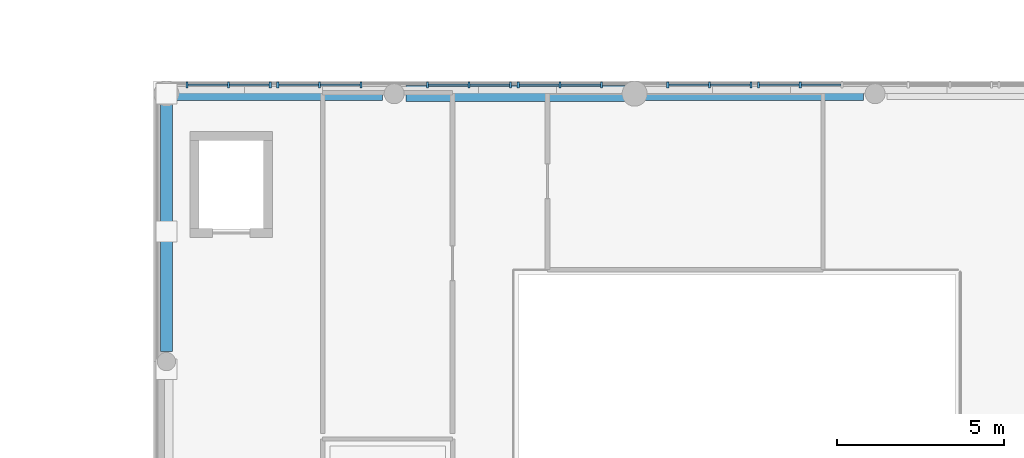
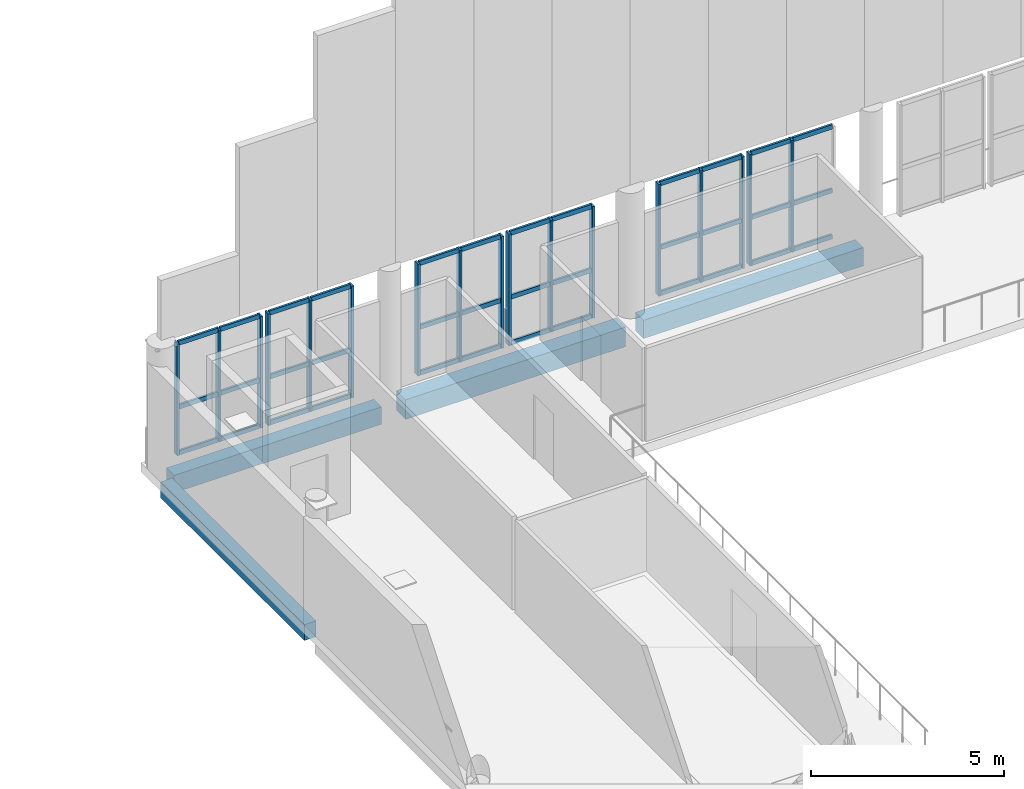
# One storey, part 24 of 76: 53 members, 4 beams, 6 elements without a shape of their own.
"""IFC4 building model written with IfcOpenShell, lengths in metres."""

from ifc_helpers import new_model, si_unit, direction, frame, origin, origin_2d, place, context, subcontext, project, spatial, rectangle, extrude, material, layer, layer_set, material_profile, profile_set, type_object, element, aggregate, save


model = new_model("IFC4")

# Units and contexts
model_context = context("Model", 3, precision=1e-05, world=origin(), true_north=direction((0.0, 1.0)))
body_context = subcontext(model_context, "Body", "Model", "MODEL_VIEW")
ifc_project = project(units=[si_unit("LENGTHUNIT", "METRE"), si_unit("AREAUNIT", "SQUARE_METRE"), si_unit("VOLUMEUNIT", "CUBIC_METRE"), si_unit("PLANEANGLEUNIT", "RADIAN"), si_unit("MASSUNIT", "GRAM", prefix="KILO")], contexts=[model_context])

# Site, building, storey
site_placement = place(None, origin())
site = spatial("IfcSite", under=ifc_project, at=site_placement, CompositionType="ELEMENT")
building_placement = place(site_placement, origin())
building = spatial("IfcBuilding", under=site, at=building_placement, Name="Vardoun Plaza Health Centre", CompositionType="ELEMENT")
storey_placement = place(building_placement, frame((0.0, 0.0, 4.5)))
storey = spatial("IfcBuildingStorey", under=building, at=storey_placement, Name="L01", CompositionType="ELEMENT", Elevation=4.5)

# Beams
ifc_material_1 = material(Name="Concrete C35/45", Category="concrete")
ifc_material_profile_1 = material_profile(ifc_material_1, rectangle(XDim=0.35009765625, YDim=0.5, at=origin_2d()), Name="RC-BM 350x500")
ifc_profile_set_1 = profile_set([ifc_material_profile_1], Name="Concrete C35/45")
beam_type_1 = type_object("IfcBeamType", Name="B-08", PredefinedType="SPANDREL", material=ifc_profile_set_1)
beam_1_placement = place(storey_placement, frame((48.260009765625, 70.199951171875, -0.530029296875), z_axis=(0.0, 1.0, 0.0), x_axis=(-1.0, 0.0, 0.0)))
element("IfcBeam", 1, at=beam_1_placement, inside=storey, type_object=beam_type_1, Name="V1 L01 Beam B-V1-L01-Y13", PredefinedType="SPANDREL", context=body_context, shape_type="SweptSolid", body=[
    extrude(rectangle(XDim=0.35009765625, YDim=0.5, at=origin_2d()), origin(), (0.0, 0.0, 1.0), 7.445068359375),
])
ifc_material_2 = material(Name="Concrete C35/45", Category="concrete")
ifc_material_profile_2 = material_profile(ifc_material_2, rectangle(XDim=0.39990234375, YDim=0.550048828125, at=origin_2d()), Name="RC-BM 400x550")
ifc_profile_set_2 = profile_set([ifc_material_profile_2], Name="Concrete C35/45")
beam_type_2 = type_object("IfcBeamType", Name="B-09", PredefinedType="SPANDREL", material=ifc_profile_set_2)
beam_2_placement = place(storey_placement, frame((48.534912109375, 77.919921875, -0.554931640625), z_axis=(1.0, 0.0, 0.0), x_axis=(0.0, 1.0, 0.0)))
element("IfcBeam", 2, at=beam_2_placement, inside=storey, type_object=beam_type_2, Name="V1 L01 Beam B-V1-L01-X02", PredefinedType="SPANDREL", context=body_context, shape_type="SweptSolid", body=[
    extrude(rectangle(XDim=0.39990234375, YDim=0.550048828125, at=origin_2d()), origin(), (0.0, 0.0, 1.0), 6.195068359375),
])
ifc_material_3 = material(Name="Concrete C35/45", Category="concrete")
ifc_material_profile_3 = material_profile(ifc_material_3, rectangle(XDim=0.419921875, YDim=0.580078125, at=origin_2d()), Name="RC-BM 420x580")
ifc_profile_set_3 = profile_set([ifc_material_profile_3], Name="Concrete C35/45")
beam_type_3 = type_object("IfcBeamType", Name="B-10", PredefinedType="SPANDREL", material=ifc_profile_set_3)
beam_3_placement = place(storey_placement, frame((62.554931640625, 77.919921875, -0.570068359375), z_axis=(1.0, 0.0, 0.0), x_axis=(0.0, 1.0, 0.0)))
element("IfcBeam", 3, at=beam_3_placement, inside=storey, type_object=beam_type_3, Name="V1 L01 Beam B-V1-L01-X06", PredefinedType="SPANDREL", context=body_context, shape_type="SweptSolid", body=[
    extrude(rectangle(XDim=0.419921875, YDim=0.580078125, at=origin_2d()), origin(), (0.0, 0.0, 1.0), 6.574951171875),
])
ifc_material_4 = material(Name="Concrete C35/45", Category="concrete")
ifc_material_profile_4 = material_profile(ifc_material_4, rectangle(XDim=0.47998046875, YDim=0.6201171875, at=origin_2d()), Name="RC-BM 480x620")
ifc_profile_set_4 = profile_set([ifc_material_profile_4], Name="Concrete C35/45")
beam_type_4 = type_object("IfcBeamType", Name="B-12", PredefinedType="SPANDREL", material=ifc_profile_set_4)
beam_4_placement = place(storey_placement, frame((55.429931640625, 77.919921875, -0.590087890625), z_axis=(1.0, 0.0, 0.0), x_axis=(0.0, 1.0, 0.0)))
element("IfcBeam", 4, at=beam_4_placement, inside=storey, type_object=beam_type_4, Name="V1 L01 Beam B-V1-L01-X04", PredefinedType="SPANDREL", context=body_context, shape_type="SweptSolid", body=[
    extrude(rectangle(XDim=0.47998046875, YDim=0.6201171875, at=origin_2d()), origin(), (0.0, 0.0, 1.0), 6.574951171875),
])

# Curtain wall, members
ifc_material_5 = material(Name="Aluminium Alloy EN AW-6063-T6 and Low-E Glass", Category="aluminium")
ifc_layer = layer(ifc_material_5, 0.179931640625)
ifc_layer_set = layer_set([ifc_layer], Name="Aluminium Alloy EN AW-6063-T6 and Low-E Glass")
curtain_wall_type = type_object("IfcCurtainWallType", Name="CW-01", PredefinedType="USERDEFINED", material=ifc_layer_set)
curtain_wall_1_placement = place(storey_placement, origin())
curtain_wall_1 = element("IfcCurtainWall", 5, at=curtain_wall_1_placement, inside=storey, type_object=curtain_wall_type, Name="Curtain Wall CW-V1-015", ObjectType="CONCOURSE_CURTAIN_WALL", PredefinedType="USERDEFINED")
ifc_material_6 = material(Name="Aluminium Alloy EN AW-6063-T6", Category="aluminium")
ifc_material_profile_5 = material_profile(ifc_material_6, rectangle(XDim=0.179931640625, YDim=0.06494140625, at=origin_2d()), Name="CWM 65x180")
ifc_profile_set_5 = profile_set([ifc_material_profile_5], Name="Aluminium Alloy EN AW-6063-T6")
member_type_1 = type_object("IfcMemberType", Name="CW-M2", PredefinedType="MULLION", material=ifc_profile_set_5)
member_1_placement = place(storey_placement, frame((48.87255859375, 78.179931640625, 0.0), z_axis=(0.0, 0.0, 1.0), x_axis=(0.0, 1.0, 0.0)))
member_1 = element("IfcMember", 6, at=member_1_placement, type_object=member_type_1, Name="CW-V1-015 mullion 1", PredefinedType="MULLION", context=body_context, shape_type="SweptSolid", body=[
    extrude(rectangle(XDim=0.179931640625, YDim=0.06494140625, at=origin_2d()), origin(), (0.0, 0.0, 1.0), 3.534912109375),
])
member_2_placement = place(storey_placement, frame((50.1201171875, 78.179931640625, 0.0), z_axis=(0.0, 0.0, 1.0), x_axis=(0.0, 1.0, 0.0)))
member_2 = element("IfcMember", 7, at=member_2_placement, type_object=member_type_1, Name="CW-V1-015 mullion 2", PredefinedType="MULLION", context=body_context, shape_type="SweptSolid", body=[
    extrude(rectangle(XDim=0.179931640625, YDim=0.06494140625, at=origin_2d()), origin(), (0.0, 0.0, 1.0), 3.534912109375),
])
member_3_placement = place(storey_placement, frame((51.367431640625, 78.179931640625, 0.0), z_axis=(0.0, 0.0, 1.0), x_axis=(0.0, 1.0, 0.0)))
member_3 = element("IfcMember", 8, at=member_3_placement, type_object=member_type_1, Name="CW-V1-015 mullion 3", PredefinedType="MULLION", context=body_context, shape_type="SweptSolid", body=[
    extrude(rectangle(XDim=0.179931640625, YDim=0.06494140625, at=origin_2d()), origin(), (0.0, 0.0, 1.0), 3.534912109375),
])

curtain_wall_2_placement = place(storey_placement, origin())
curtain_wall_2 = element("IfcCurtainWall", 9, at=curtain_wall_2_placement, inside=storey, type_object=curtain_wall_type, Name="Curtain Wall CW-V1-016", ObjectType="CONCOURSE_CURTAIN_WALL", PredefinedType="USERDEFINED")
member_4_placement = place(storey_placement, frame((51.592529296875, 78.179931640625, 0.0), z_axis=(0.0, 0.0, 1.0), x_axis=(0.0, 1.0, 0.0)))
member_4 = element("IfcMember", 10, at=member_4_placement, type_object=member_type_1, Name="CW-V1-016 mullion 1", PredefinedType="MULLION", context=body_context, shape_type="SweptSolid", body=[
    extrude(rectangle(XDim=0.179931640625, YDim=0.06494140625, at=origin_2d()), origin(), (0.0, 0.0, 1.0), 3.534912109375),
])
member_5_placement = place(storey_placement, frame((52.840087890625, 78.179931640625, 0.0), z_axis=(0.0, 0.0, 1.0), x_axis=(0.0, 1.0, 0.0)))
member_5 = element("IfcMember", 11, at=member_5_placement, type_object=member_type_1, Name="CW-V1-016 mullion 2", PredefinedType="MULLION", context=body_context, shape_type="SweptSolid", body=[
    extrude(rectangle(XDim=0.179931640625, YDim=0.06494140625, at=origin_2d()), origin(), (0.0, 0.0, 1.0), 3.534912109375),
])
member_6_placement = place(storey_placement, frame((54.087646484375, 78.179931640625, 0.0), z_axis=(0.0, 0.0, 1.0), x_axis=(0.0, 1.0, 0.0)))
member_6 = element("IfcMember", 12, at=member_6_placement, type_object=member_type_1, Name="CW-V1-016 mullion 3", PredefinedType="MULLION", context=body_context, shape_type="SweptSolid", body=[
    extrude(rectangle(XDim=0.179931640625, YDim=0.06494140625, at=origin_2d()), origin(), (0.0, 0.0, 1.0), 3.534912109375),
])

curtain_wall_3_placement = place(storey_placement, origin())
curtain_wall_3 = element("IfcCurtainWall", 13, at=curtain_wall_3_placement, inside=storey, type_object=curtain_wall_type, Name="Curtain Wall CW-V1-017", ObjectType="CONCOURSE_CURTAIN_WALL", PredefinedType="USERDEFINED")
member_7_placement = place(storey_placement, frame((56.072509765625, 78.179931640625, 0.0), z_axis=(0.0, 0.0, 1.0), x_axis=(0.0, 1.0, 0.0)))
member_7 = element("IfcMember", 14, at=member_7_placement, type_object=member_type_1, Name="CW-V1-017 mullion 1", PredefinedType="MULLION", context=body_context, shape_type="SweptSolid", body=[
    extrude(rectangle(XDim=0.179931640625, YDim=0.06494140625, at=origin_2d()), origin(), (0.0, 0.0, 1.0), 3.534912109375),
])
member_8_placement = place(storey_placement, frame((57.320068359375, 78.179931640625, 0.0), z_axis=(0.0, 0.0, 1.0), x_axis=(0.0, 1.0, 0.0)))
member_8 = element("IfcMember", 15, at=member_8_placement, type_object=member_type_1, Name="CW-V1-017 mullion 2", PredefinedType="MULLION", context=body_context, shape_type="SweptSolid", body=[
    extrude(rectangle(XDim=0.179931640625, YDim=0.06494140625, at=origin_2d()), origin(), (0.0, 0.0, 1.0), 3.534912109375),
])
member_9_placement = place(storey_placement, frame((58.5673828125, 78.179931640625, 0.0), z_axis=(0.0, 0.0, 1.0), x_axis=(0.0, 1.0, 0.0)))
member_9 = element("IfcMember", 16, at=member_9_placement, type_object=member_type_1, Name="CW-V1-017 mullion 3", PredefinedType="MULLION", context=body_context, shape_type="SweptSolid", body=[
    extrude(rectangle(XDim=0.179931640625, YDim=0.06494140625, at=origin_2d()), origin(), (0.0, 0.0, 1.0), 3.534912109375),
])

curtain_wall_4_placement = place(storey_placement, origin())
curtain_wall_4 = element("IfcCurtainWall", 17, at=curtain_wall_4_placement, inside=storey, type_object=curtain_wall_type, Name="Curtain Wall CW-V1-018", ObjectType="CONCOURSE_CURTAIN_WALL", PredefinedType="USERDEFINED")
member_10_placement = place(storey_placement, frame((58.79248046875, 78.179931640625, 0.0), z_axis=(0.0, 0.0, 1.0), x_axis=(0.0, 1.0, 0.0)))
member_10 = element("IfcMember", 18, at=member_10_placement, type_object=member_type_1, Name="CW-V1-018 mullion 1", PredefinedType="MULLION", context=body_context, shape_type="SweptSolid", body=[
    extrude(rectangle(XDim=0.179931640625, YDim=0.06494140625, at=origin_2d()), origin(), (0.0, 0.0, 1.0), 3.534912109375),
])
member_11_placement = place(storey_placement, frame((60.0400390625, 78.179931640625, 0.0), z_axis=(0.0, 0.0, 1.0), x_axis=(0.0, 1.0, 0.0)))
member_11 = element("IfcMember", 19, at=member_11_placement, type_object=member_type_1, Name="CW-V1-018 mullion 2", PredefinedType="MULLION", context=body_context, shape_type="SweptSolid", body=[
    extrude(rectangle(XDim=0.179931640625, YDim=0.06494140625, at=origin_2d()), origin(), (0.0, 0.0, 1.0), 3.534912109375),
])
member_12_placement = place(storey_placement, frame((61.28759765625, 78.179931640625, 0.0), z_axis=(0.0, 0.0, 1.0), x_axis=(0.0, 1.0, 0.0)))
member_12 = element("IfcMember", 20, at=member_12_placement, type_object=member_type_1, Name="CW-V1-018 mullion 3", PredefinedType="MULLION", context=body_context, shape_type="SweptSolid", body=[
    extrude(rectangle(XDim=0.179931640625, YDim=0.06494140625, at=origin_2d()), origin(), (0.0, 0.0, 1.0), 3.534912109375),
])

curtain_wall_5_placement = place(storey_placement, origin())
curtain_wall_5 = element("IfcCurtainWall", 21, at=curtain_wall_5_placement, inside=storey, type_object=curtain_wall_type, Name="Curtain Wall CW-V1-019", ObjectType="CONCOURSE_CURTAIN_WALL", PredefinedType="USERDEFINED")
member_13_placement = place(storey_placement, frame((63.2724609375, 78.179931640625, 0.0), z_axis=(0.0, 0.0, 1.0), x_axis=(0.0, 1.0, 0.0)))
member_13 = element("IfcMember", 22, at=member_13_placement, type_object=member_type_1, Name="CW-V1-019 mullion 1", PredefinedType="MULLION", context=body_context, shape_type="SweptSolid", body=[
    extrude(rectangle(XDim=0.179931640625, YDim=0.06494140625, at=origin_2d()), origin(), (0.0, 0.0, 1.0), 3.534912109375),
])
member_14_placement = place(storey_placement, frame((64.52001953125, 78.179931640625, 0.0), z_axis=(0.0, 0.0, 1.0), x_axis=(0.0, 1.0, 0.0)))
member_14 = element("IfcMember", 23, at=member_14_placement, type_object=member_type_1, Name="CW-V1-019 mullion 2", PredefinedType="MULLION", context=body_context, shape_type="SweptSolid", body=[
    extrude(rectangle(XDim=0.179931640625, YDim=0.06494140625, at=origin_2d()), origin(), (0.0, 0.0, 1.0), 3.534912109375),
])
member_15_placement = place(storey_placement, frame((65.767578125, 78.179931640625, 0.0), z_axis=(0.0, 0.0, 1.0), x_axis=(0.0, 1.0, 0.0)))
member_15 = element("IfcMember", 24, at=member_15_placement, type_object=member_type_1, Name="CW-V1-019 mullion 3", PredefinedType="MULLION", context=body_context, shape_type="SweptSolid", body=[
    extrude(rectangle(XDim=0.179931640625, YDim=0.06494140625, at=origin_2d()), origin(), (0.0, 0.0, 1.0), 3.534912109375),
])

curtain_wall_6_placement = place(storey_placement, origin())
curtain_wall_6 = element("IfcCurtainWall", 25, at=curtain_wall_6_placement, inside=storey, type_object=curtain_wall_type, Name="Curtain Wall CW-V1-020", ObjectType="CONCOURSE_CURTAIN_WALL", PredefinedType="USERDEFINED")
member_16_placement = place(storey_placement, frame((65.992431640625, 78.179931640625, 0.0), z_axis=(0.0, 0.0, 1.0), x_axis=(0.0, 1.0, 0.0)))
member_16 = element("IfcMember", 26, at=member_16_placement, type_object=member_type_1, Name="CW-V1-020 mullion 1", PredefinedType="MULLION", context=body_context, shape_type="SweptSolid", body=[
    extrude(rectangle(XDim=0.179931640625, YDim=0.06494140625, at=origin_2d()), origin(), (0.0, 0.0, 1.0), 3.534912109375),
])
member_17_placement = place(storey_placement, frame((67.239990234375, 78.179931640625, 0.0), z_axis=(0.0, 0.0, 1.0), x_axis=(0.0, 1.0, 0.0)))
member_17 = element("IfcMember", 27, at=member_17_placement, type_object=member_type_1, Name="CW-V1-020 mullion 2", PredefinedType="MULLION", context=body_context, shape_type="SweptSolid", body=[
    extrude(rectangle(XDim=0.179931640625, YDim=0.06494140625, at=origin_2d()), origin(), (0.0, 0.0, 1.0), 3.534912109375),
])

# Member
ifc_material_7 = material(Name="Aluminium Alloy EN AW-6063-T6", Category="aluminium")
ifc_material_profile_6 = material_profile(ifc_material_7, rectangle(XDim=0.06494140625, YDim=0.139892578125, at=origin_2d()), Name="CWT 65x140")
ifc_profile_set_6 = profile_set([ifc_material_profile_6], Name="Aluminium Alloy EN AW-6063-T6")
member_type_2 = type_object("IfcMemberType", Name="CW-T2", PredefinedType="USERDEFINED", material=ifc_profile_set_6)
member_18_placement = place(storey_placement, frame((48.905029296875, 78.179931640625, 0.032470703125), z_axis=(1.0, 0.0, 0.0), x_axis=(0.0, 1.0, 0.0)))
member_18 = element("IfcMember", 28, at=member_18_placement, type_object=member_type_2, Name="CW-V1-015 transom 1.1", ObjectType="TRANSOM", PredefinedType="USERDEFINED", context=body_context, shape_type="SweptSolid", body=[
    extrude(rectangle(XDim=0.06494140625, YDim=0.139892578125, at=origin_2d()), origin(), (0.0, 0.0, 1.0), 1.1826171875),
])

member_19_placement = place(storey_placement, frame((48.905029296875, 78.179931640625, 1.484619140625), z_axis=(1.0, 0.0, 0.0), x_axis=(0.0, 1.0, 0.0)))
member_19 = element("IfcMember", 29, at=member_19_placement, type_object=member_type_2, Name="CW-V1-015 transom 1.2", ObjectType="TRANSOM", PredefinedType="USERDEFINED", context=body_context, shape_type="SweptSolid", body=[
    extrude(rectangle(XDim=0.06494140625, YDim=0.139892578125, at=origin_2d()), origin(), (0.0, 0.0, 1.0), 1.1826171875),
])

member_20_placement = place(storey_placement, frame((48.905029296875, 78.179931640625, 3.50244140625), z_axis=(1.0, 0.0, 0.0), x_axis=(0.0, 1.0, 0.0)))
member_20 = element("IfcMember", 30, at=member_20_placement, type_object=member_type_2, Name="CW-V1-015 transom 1.3", ObjectType="TRANSOM", PredefinedType="USERDEFINED", context=body_context, shape_type="SweptSolid", body=[
    extrude(rectangle(XDim=0.06494140625, YDim=0.139892578125, at=origin_2d()), origin(), (0.0, 0.0, 1.0), 1.1826171875),
])

member_21_placement = place(storey_placement, frame((50.152587890625, 78.179931640625, 0.032470703125), z_axis=(1.0, 0.0, 0.0), x_axis=(0.0, 1.0, 0.0)))
member_21 = element("IfcMember", 31, at=member_21_placement, type_object=member_type_2, Name="CW-V1-015 transom 2.1", ObjectType="TRANSOM", PredefinedType="USERDEFINED", context=body_context, shape_type="SweptSolid", body=[
    extrude(rectangle(XDim=0.06494140625, YDim=0.139892578125, at=origin_2d()), origin(), (0.0, 0.0, 1.0), 1.182373046875),
])

member_22_placement = place(storey_placement, frame((50.152587890625, 78.179931640625, 1.484619140625), z_axis=(1.0, 0.0, 0.0), x_axis=(0.0, 1.0, 0.0)))
member_22 = element("IfcMember", 32, at=member_22_placement, type_object=member_type_2, Name="CW-V1-015 transom 2.2", ObjectType="TRANSOM", PredefinedType="USERDEFINED", context=body_context, shape_type="SweptSolid", body=[
    extrude(rectangle(XDim=0.06494140625, YDim=0.139892578125, at=origin_2d()), origin(), (0.0, 0.0, 1.0), 1.182373046875),
])

member_23_placement = place(storey_placement, frame((50.152587890625, 78.179931640625, 3.50244140625), z_axis=(1.0, 0.0, 0.0), x_axis=(0.0, 1.0, 0.0)))
member_23 = element("IfcMember", 33, at=member_23_placement, type_object=member_type_2, Name="CW-V1-015 transom 2.3", ObjectType="TRANSOM", PredefinedType="USERDEFINED", context=body_context, shape_type="SweptSolid", body=[
    extrude(rectangle(XDim=0.06494140625, YDim=0.139892578125, at=origin_2d()), origin(), (0.0, 0.0, 1.0), 1.182373046875),
])

aggregate(curtain_wall_1, [member_1, member_2, member_3, member_18, member_19, member_20, member_21, member_22, member_23])

member_24_placement = place(storey_placement, frame((51.625, 78.179931640625, 0.032470703125), z_axis=(1.0, 0.0, 0.0), x_axis=(0.0, 1.0, 0.0)))
member_24 = element("IfcMember", 34, at=member_24_placement, type_object=member_type_2, Name="CW-V1-016 transom 1.1", ObjectType="TRANSOM", PredefinedType="USERDEFINED", context=body_context, shape_type="SweptSolid", body=[
    extrude(rectangle(XDim=0.06494140625, YDim=0.139892578125, at=origin_2d()), origin(), (0.0, 0.0, 1.0), 1.1826171875),
])

member_25_placement = place(storey_placement, frame((51.625, 78.179931640625, 1.484619140625), z_axis=(1.0, 0.0, 0.0), x_axis=(0.0, 1.0, 0.0)))
member_25 = element("IfcMember", 35, at=member_25_placement, type_object=member_type_2, Name="CW-V1-016 transom 1.2", ObjectType="TRANSOM", PredefinedType="USERDEFINED", context=body_context, shape_type="SweptSolid", body=[
    extrude(rectangle(XDim=0.06494140625, YDim=0.139892578125, at=origin_2d()), origin(), (0.0, 0.0, 1.0), 1.1826171875),
])

member_26_placement = place(storey_placement, frame((51.625, 78.179931640625, 3.50244140625), z_axis=(1.0, 0.0, 0.0), x_axis=(0.0, 1.0, 0.0)))
member_26 = element("IfcMember", 36, at=member_26_placement, type_object=member_type_2, Name="CW-V1-016 transom 1.3", ObjectType="TRANSOM", PredefinedType="USERDEFINED", context=body_context, shape_type="SweptSolid", body=[
    extrude(rectangle(XDim=0.06494140625, YDim=0.139892578125, at=origin_2d()), origin(), (0.0, 0.0, 1.0), 1.1826171875),
])

member_27_placement = place(storey_placement, frame((52.87255859375, 78.179931640625, 0.032470703125), z_axis=(1.0, 0.0, 0.0), x_axis=(0.0, 1.0, 0.0)))
member_27 = element("IfcMember", 37, at=member_27_placement, type_object=member_type_2, Name="CW-V1-016 transom 2.1", ObjectType="TRANSOM", PredefinedType="USERDEFINED", context=body_context, shape_type="SweptSolid", body=[
    extrude(rectangle(XDim=0.06494140625, YDim=0.139892578125, at=origin_2d()), origin(), (0.0, 0.0, 1.0), 1.182373046875),
])

member_28_placement = place(storey_placement, frame((52.87255859375, 78.179931640625, 1.484619140625), z_axis=(1.0, 0.0, 0.0), x_axis=(0.0, 1.0, 0.0)))
member_28 = element("IfcMember", 38, at=member_28_placement, type_object=member_type_2, Name="CW-V1-016 transom 2.2", ObjectType="TRANSOM", PredefinedType="USERDEFINED", context=body_context, shape_type="SweptSolid", body=[
    extrude(rectangle(XDim=0.06494140625, YDim=0.139892578125, at=origin_2d()), origin(), (0.0, 0.0, 1.0), 1.182373046875),
])

member_29_placement = place(storey_placement, frame((52.87255859375, 78.179931640625, 3.50244140625), z_axis=(1.0, 0.0, 0.0), x_axis=(0.0, 1.0, 0.0)))
member_29 = element("IfcMember", 39, at=member_29_placement, type_object=member_type_2, Name="CW-V1-016 transom 2.3", ObjectType="TRANSOM", PredefinedType="USERDEFINED", context=body_context, shape_type="SweptSolid", body=[
    extrude(rectangle(XDim=0.06494140625, YDim=0.139892578125, at=origin_2d()), origin(), (0.0, 0.0, 1.0), 1.182373046875),
])

aggregate(curtain_wall_2, [member_4, member_5, member_6, member_24, member_25, member_26, member_27, member_28, member_29])

member_30_placement = place(storey_placement, frame((56.10498046875, 78.179931640625, 0.032470703125), z_axis=(1.0, 0.0, 0.0), x_axis=(0.0, 1.0, 0.0)))
member_30 = element("IfcMember", 40, at=member_30_placement, type_object=member_type_2, Name="CW-V1-017 transom 1.1", ObjectType="TRANSOM", PredefinedType="USERDEFINED", context=body_context, shape_type="SweptSolid", body=[
    extrude(rectangle(XDim=0.06494140625, YDim=0.139892578125, at=origin_2d()), origin(), (0.0, 0.0, 1.0), 1.1826171875),
])

member_31_placement = place(storey_placement, frame((56.10498046875, 78.179931640625, 1.484619140625), z_axis=(1.0, 0.0, 0.0), x_axis=(0.0, 1.0, 0.0)))
member_31 = element("IfcMember", 41, at=member_31_placement, type_object=member_type_2, Name="CW-V1-017 transom 1.2", ObjectType="TRANSOM", PredefinedType="USERDEFINED", context=body_context, shape_type="SweptSolid", body=[
    extrude(rectangle(XDim=0.06494140625, YDim=0.139892578125, at=origin_2d()), origin(), (0.0, 0.0, 1.0), 1.1826171875),
])

member_32_placement = place(storey_placement, frame((56.10498046875, 78.179931640625, 3.50244140625), z_axis=(1.0, 0.0, 0.0), x_axis=(0.0, 1.0, 0.0)))
member_32 = element("IfcMember", 42, at=member_32_placement, type_object=member_type_2, Name="CW-V1-017 transom 1.3", ObjectType="TRANSOM", PredefinedType="USERDEFINED", context=body_context, shape_type="SweptSolid", body=[
    extrude(rectangle(XDim=0.06494140625, YDim=0.139892578125, at=origin_2d()), origin(), (0.0, 0.0, 1.0), 1.1826171875),
])

member_33_placement = place(storey_placement, frame((57.3525390625, 78.179931640625, 0.032470703125), z_axis=(1.0, 0.0, 0.0), x_axis=(0.0, 1.0, 0.0)))
member_33 = element("IfcMember", 43, at=member_33_placement, type_object=member_type_2, Name="CW-V1-017 transom 2.1", ObjectType="TRANSOM", PredefinedType="USERDEFINED", context=body_context, shape_type="SweptSolid", body=[
    extrude(rectangle(XDim=0.06494140625, YDim=0.139892578125, at=origin_2d()), origin(), (0.0, 0.0, 1.0), 1.182373046875),
])

member_34_placement = place(storey_placement, frame((57.3525390625, 78.179931640625, 1.484619140625), z_axis=(1.0, 0.0, 0.0), x_axis=(0.0, 1.0, 0.0)))
member_34 = element("IfcMember", 44, at=member_34_placement, type_object=member_type_2, Name="CW-V1-017 transom 2.2", ObjectType="TRANSOM", PredefinedType="USERDEFINED", context=body_context, shape_type="SweptSolid", body=[
    extrude(rectangle(XDim=0.06494140625, YDim=0.139892578125, at=origin_2d()), origin(), (0.0, 0.0, 1.0), 1.182373046875),
])

member_35_placement = place(storey_placement, frame((57.3525390625, 78.179931640625, 3.50244140625), z_axis=(1.0, 0.0, 0.0), x_axis=(0.0, 1.0, 0.0)))
member_35 = element("IfcMember", 45, at=member_35_placement, type_object=member_type_2, Name="CW-V1-017 transom 2.3", ObjectType="TRANSOM", PredefinedType="USERDEFINED", context=body_context, shape_type="SweptSolid", body=[
    extrude(rectangle(XDim=0.06494140625, YDim=0.139892578125, at=origin_2d()), origin(), (0.0, 0.0, 1.0), 1.182373046875),
])

aggregate(curtain_wall_3, [member_7, member_8, member_9, member_30, member_31, member_32, member_33, member_34, member_35])

member_36_placement = place(storey_placement, frame((58.824951171875, 78.179931640625, 0.032470703125), z_axis=(1.0, 0.0, 0.0), x_axis=(0.0, 1.0, 0.0)))
member_36 = element("IfcMember", 46, at=member_36_placement, type_object=member_type_2, Name="CW-V1-018 transom 1.1", ObjectType="TRANSOM", PredefinedType="USERDEFINED", context=body_context, shape_type="SweptSolid", body=[
    extrude(rectangle(XDim=0.06494140625, YDim=0.139892578125, at=origin_2d()), origin(), (0.0, 0.0, 1.0), 1.1826171875),
])

member_37_placement = place(storey_placement, frame((58.824951171875, 78.179931640625, 1.484619140625), z_axis=(1.0, 0.0, 0.0), x_axis=(0.0, 1.0, 0.0)))
member_37 = element("IfcMember", 47, at=member_37_placement, type_object=member_type_2, Name="CW-V1-018 transom 1.2", ObjectType="TRANSOM", PredefinedType="USERDEFINED", context=body_context, shape_type="SweptSolid", body=[
    extrude(rectangle(XDim=0.06494140625, YDim=0.139892578125, at=origin_2d()), origin(), (0.0, 0.0, 1.0), 1.1826171875),
])

member_38_placement = place(storey_placement, frame((58.824951171875, 78.179931640625, 3.50244140625), z_axis=(1.0, 0.0, 0.0), x_axis=(0.0, 1.0, 0.0)))
member_38 = element("IfcMember", 48, at=member_38_placement, type_object=member_type_2, Name="CW-V1-018 transom 1.3", ObjectType="TRANSOM", PredefinedType="USERDEFINED", context=body_context, shape_type="SweptSolid", body=[
    extrude(rectangle(XDim=0.06494140625, YDim=0.139892578125, at=origin_2d()), origin(), (0.0, 0.0, 1.0), 1.1826171875),
])

member_39_placement = place(storey_placement, frame((60.072509765625, 78.179931640625, 0.032470703125), z_axis=(1.0, 0.0, 0.0), x_axis=(0.0, 1.0, 0.0)))
member_39 = element("IfcMember", 49, at=member_39_placement, type_object=member_type_2, Name="CW-V1-018 transom 2.1", ObjectType="TRANSOM", PredefinedType="USERDEFINED", context=body_context, shape_type="SweptSolid", body=[
    extrude(rectangle(XDim=0.06494140625, YDim=0.139892578125, at=origin_2d()), origin(), (0.0, 0.0, 1.0), 1.182373046875),
])

member_40_placement = place(storey_placement, frame((60.072509765625, 78.179931640625, 1.484619140625), z_axis=(1.0, 0.0, 0.0), x_axis=(0.0, 1.0, 0.0)))
member_40 = element("IfcMember", 50, at=member_40_placement, type_object=member_type_2, Name="CW-V1-018 transom 2.2", ObjectType="TRANSOM", PredefinedType="USERDEFINED", context=body_context, shape_type="SweptSolid", body=[
    extrude(rectangle(XDim=0.06494140625, YDim=0.139892578125, at=origin_2d()), origin(), (0.0, 0.0, 1.0), 1.182373046875),
])

member_41_placement = place(storey_placement, frame((60.072509765625, 78.179931640625, 3.50244140625), z_axis=(1.0, 0.0, 0.0), x_axis=(0.0, 1.0, 0.0)))
member_41 = element("IfcMember", 51, at=member_41_placement, type_object=member_type_2, Name="CW-V1-018 transom 2.3", ObjectType="TRANSOM", PredefinedType="USERDEFINED", context=body_context, shape_type="SweptSolid", body=[
    extrude(rectangle(XDim=0.06494140625, YDim=0.139892578125, at=origin_2d()), origin(), (0.0, 0.0, 1.0), 1.182373046875),
])

aggregate(curtain_wall_4, [member_10, member_11, member_12, member_36, member_37, member_38, member_39, member_40, member_41])

member_42_placement = place(storey_placement, frame((63.304931640625, 78.179931640625, 0.032470703125), z_axis=(1.0, 0.0, 0.0), x_axis=(0.0, 1.0, 0.0)))
member_42 = element("IfcMember", 52, at=member_42_placement, type_object=member_type_2, Name="CW-V1-019 transom 1.1", ObjectType="TRANSOM", PredefinedType="USERDEFINED", context=body_context, shape_type="SweptSolid", body=[
    extrude(rectangle(XDim=0.06494140625, YDim=0.139892578125, at=origin_2d()), origin(), (0.0, 0.0, 1.0), 1.1826171875),
])

member_43_placement = place(storey_placement, frame((63.304931640625, 78.179931640625, 1.484619140625), z_axis=(1.0, 0.0, 0.0), x_axis=(0.0, 1.0, 0.0)))
member_43 = element("IfcMember", 53, at=member_43_placement, type_object=member_type_2, Name="CW-V1-019 transom 1.2", ObjectType="TRANSOM", PredefinedType="USERDEFINED", context=body_context, shape_type="SweptSolid", body=[
    extrude(rectangle(XDim=0.06494140625, YDim=0.139892578125, at=origin_2d()), origin(), (0.0, 0.0, 1.0), 1.1826171875),
])

member_44_placement = place(storey_placement, frame((63.304931640625, 78.179931640625, 3.50244140625), z_axis=(1.0, 0.0, 0.0), x_axis=(0.0, 1.0, 0.0)))
member_44 = element("IfcMember", 54, at=member_44_placement, type_object=member_type_2, Name="CW-V1-019 transom 1.3", ObjectType="TRANSOM", PredefinedType="USERDEFINED", context=body_context, shape_type="SweptSolid", body=[
    extrude(rectangle(XDim=0.06494140625, YDim=0.139892578125, at=origin_2d()), origin(), (0.0, 0.0, 1.0), 1.1826171875),
])

member_45_placement = place(storey_placement, frame((64.552490234375, 78.179931640625, 0.032470703125), z_axis=(1.0, 0.0, 0.0), x_axis=(0.0, 1.0, 0.0)))
member_45 = element("IfcMember", 55, at=member_45_placement, type_object=member_type_2, Name="CW-V1-019 transom 2.1", ObjectType="TRANSOM", PredefinedType="USERDEFINED", context=body_context, shape_type="SweptSolid", body=[
    extrude(rectangle(XDim=0.06494140625, YDim=0.139892578125, at=origin_2d()), origin(), (0.0, 0.0, 1.0), 1.1826171875),
])

member_46_placement = place(storey_placement, frame((64.552490234375, 78.179931640625, 1.484619140625), z_axis=(1.0, 0.0, 0.0), x_axis=(0.0, 1.0, 0.0)))
member_46 = element("IfcMember", 56, at=member_46_placement, type_object=member_type_2, Name="CW-V1-019 transom 2.2", ObjectType="TRANSOM", PredefinedType="USERDEFINED", context=body_context, shape_type="SweptSolid", body=[
    extrude(rectangle(XDim=0.06494140625, YDim=0.139892578125, at=origin_2d()), origin(), (0.0, 0.0, 1.0), 1.1826171875),
])

member_47_placement = place(storey_placement, frame((64.552490234375, 78.179931640625, 3.50244140625), z_axis=(1.0, 0.0, 0.0), x_axis=(0.0, 1.0, 0.0)))
member_47 = element("IfcMember", 57, at=member_47_placement, type_object=member_type_2, Name="CW-V1-019 transom 2.3", ObjectType="TRANSOM", PredefinedType="USERDEFINED", context=body_context, shape_type="SweptSolid", body=[
    extrude(rectangle(XDim=0.06494140625, YDim=0.139892578125, at=origin_2d()), origin(), (0.0, 0.0, 1.0), 1.1826171875),
])

aggregate(curtain_wall_5, [member_13, member_14, member_15, member_42, member_43, member_44, member_45, member_46, member_47])

member_48_placement = place(storey_placement, frame((66.025146484375, 78.179931640625, 0.032470703125), z_axis=(1.0, 0.0, 0.0), x_axis=(0.0, 1.0, 0.0)))
member_48 = element("IfcMember", 58, at=member_48_placement, type_object=member_type_2, Name="CW-V1-020 transom 1.1", ObjectType="TRANSOM", PredefinedType="USERDEFINED", context=body_context, shape_type="SweptSolid", body=[
    extrude(rectangle(XDim=0.06494140625, YDim=0.139892578125, at=origin_2d()), origin(), (0.0, 0.0, 1.0), 1.182373046875),
])

member_49_placement = place(storey_placement, frame((66.025146484375, 78.179931640625, 1.484619140625), z_axis=(1.0, 0.0, 0.0), x_axis=(0.0, 1.0, 0.0)))
member_49 = element("IfcMember", 59, at=member_49_placement, type_object=member_type_2, Name="CW-V1-020 transom 1.2", ObjectType="TRANSOM", PredefinedType="USERDEFINED", context=body_context, shape_type="SweptSolid", body=[
    extrude(rectangle(XDim=0.06494140625, YDim=0.139892578125, at=origin_2d()), origin(), (0.0, 0.0, 1.0), 1.182373046875),
])

member_50_placement = place(storey_placement, frame((66.025146484375, 78.179931640625, 3.50244140625), z_axis=(1.0, 0.0, 0.0), x_axis=(0.0, 1.0, 0.0)))
member_50 = element("IfcMember", 60, at=member_50_placement, type_object=member_type_2, Name="CW-V1-020 transom 1.3", ObjectType="TRANSOM", PredefinedType="USERDEFINED", context=body_context, shape_type="SweptSolid", body=[
    extrude(rectangle(XDim=0.06494140625, YDim=0.139892578125, at=origin_2d()), origin(), (0.0, 0.0, 1.0), 1.182373046875),
])

member_51_placement = place(storey_placement, frame((67.2724609375, 78.179931640625, 0.032470703125), z_axis=(1.0, 0.0, 0.0), x_axis=(0.0, 1.0, 0.0)))
member_51 = element("IfcMember", 61, at=member_51_placement, type_object=member_type_2, Name="CW-V1-020 transom 2.1", ObjectType="TRANSOM", PredefinedType="USERDEFINED", context=body_context, shape_type="SweptSolid", body=[
    extrude(rectangle(XDim=0.06494140625, YDim=0.139892578125, at=origin_2d()), origin(), (0.0, 0.0, 1.0), 1.1826171875),
])

member_52_placement = place(storey_placement, frame((67.2724609375, 78.179931640625, 1.484619140625), z_axis=(1.0, 0.0, 0.0), x_axis=(0.0, 1.0, 0.0)))
member_52 = element("IfcMember", 62, at=member_52_placement, type_object=member_type_2, Name="CW-V1-020 transom 2.2", ObjectType="TRANSOM", PredefinedType="USERDEFINED", context=body_context, shape_type="SweptSolid", body=[
    extrude(rectangle(XDim=0.06494140625, YDim=0.139892578125, at=origin_2d()), origin(), (0.0, 0.0, 1.0), 1.1826171875),
])

member_53_placement = place(storey_placement, frame((67.2724609375, 78.179931640625, 3.50244140625), z_axis=(1.0, 0.0, 0.0), x_axis=(0.0, 1.0, 0.0)))
member_53 = element("IfcMember", 63, at=member_53_placement, type_object=member_type_2, Name="CW-V1-020 transom 2.3", ObjectType="TRANSOM", PredefinedType="USERDEFINED", context=body_context, shape_type="SweptSolid", body=[
    extrude(rectangle(XDim=0.06494140625, YDim=0.139892578125, at=origin_2d()), origin(), (0.0, 0.0, 1.0), 1.1826171875),
])

aggregate(curtain_wall_6, [member_16, member_17, member_48, member_49, member_50, member_51, member_52, member_53])

save(model, "model.ifc")
